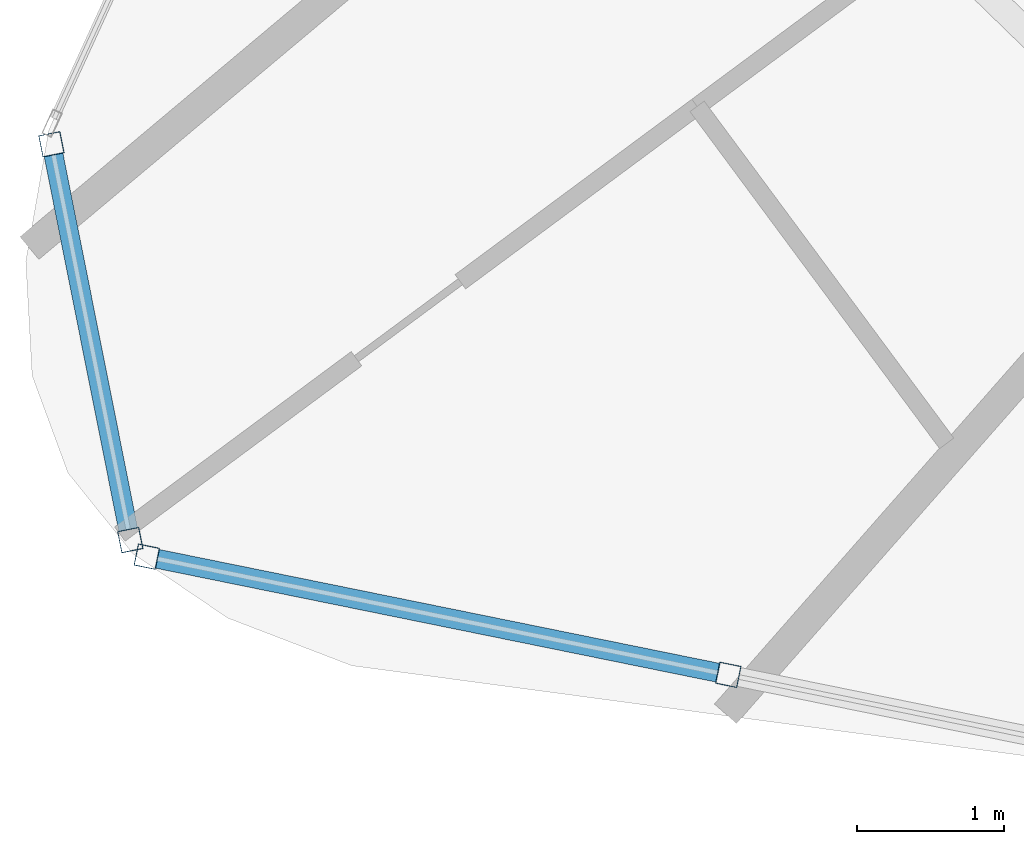
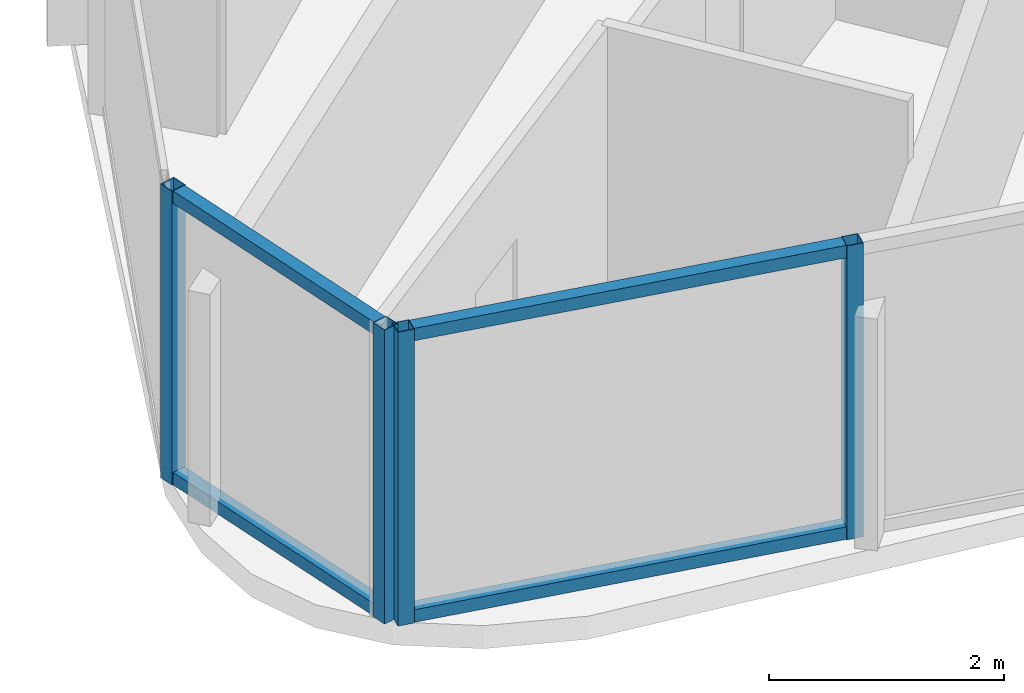
# One storey, part 2 of 38: 8 members, 2 elements without a shape of their own.
"""IFC4 building model written with IfcOpenShell, lengths in metres."""

from ifc_helpers import new_model, si_unit, direction, frame, origin, origin_2d, place, context, subcontext, project, spatial, hollow_rectangle, extrude, material, layer, layer_set, material_profile, profile_set, type_object, element, aggregate, save


model = new_model("IFC4")

# Units and contexts
model_context = context("Model", 3, precision=1e-05, world=origin(), true_north=direction((0.0, 1.0)))
body_context = subcontext(model_context, "Body", "Model", "MODEL_VIEW")
ifc_project = project(units=[si_unit("LENGTHUNIT", "METRE"), si_unit("AREAUNIT", "SQUARE_METRE"), si_unit("VOLUMEUNIT", "CUBIC_METRE"), si_unit("PLANEANGLEUNIT", "RADIAN"), si_unit("MASSUNIT", "GRAM", prefix="KILO")], contexts=[model_context])

# Site, building, storey
site_placement = place(None, origin())
site = spatial("IfcSite", under=ifc_project, at=site_placement, CompositionType="ELEMENT")
building_placement = place(site_placement, origin())
building = spatial("IfcBuilding", under=site, at=building_placement, Name="Orvanel Arch Residences", CompositionType="ELEMENT")
storey_placement = place(building_placement, frame((0.0, 0.0, 50.0)))
storey = spatial("IfcBuildingStorey", under=building, at=storey_placement, Name="L13", CompositionType="ELEMENT", Elevation=50.0)

# Curtain wall, members
ifc_material = material(Name="Bronze-anodised aluminium AA6063-T6", Category="aluminium")
ifc_layer = layer(ifc_material, 0.18994140625)
ifc_layer_set = layer_set([ifc_layer], Name="Bronze-anodised aluminium AA6063-T6")
curtain_wall_type = type_object("IfcCurtainWallType", Name="CW5-CRN-SYS", PredefinedType="NOTDEFINED", material=ifc_layer_set)
curtain_wall_1_placement = place(storey_placement, origin())
curtain_wall_1 = element("IfcCurtainWall", 1, at=curtain_wall_1_placement, inside=storey, type_object=curtain_wall_type, Name="L13 CW5-CRN-SYS Unitised Curtain Wall", PredefinedType="NOTDEFINED")
ifc_material_profile_1 = material_profile(ifc_material, hollow_rectangle(XDim=0.14990234375, YDim=0.14990234375, WallThickness=0.0048828125, at=origin_2d()), Name="ALU150x150x5")
ifc_profile_set_1 = profile_set([ifc_material_profile_1], Name="Bronze-anodised aluminium AA6063-T6")
member_type_1 = type_object("IfcMemberType", Name="MUL-150x150", PredefinedType="MULLION", material=ifc_profile_set_1)
member_1_placement = place(storey_placement, frame((4.51171875, 7.1923828125, 0.0), z_axis=(0.0, 0.0, 1.0), x_axis=(0.980713266811, 0.195452010225, 0.0)))
member_1 = element("IfcMember", 2, at=member_1_placement, type_object=member_type_1, Name="CW-S5 mullion 1", PredefinedType="MULLION", context=body_context, shape_type="SweptSolid", body=[
    extrude(hollow_rectangle(XDim=0.14990234375, YDim=0.14990234375, WallThickness=0.0048828125, at=origin_2d()), origin(), (0.0, 0.0, 1.0), 3.06005859375),
])
member_2_placement = place(storey_placement, frame((5.04833984375, 4.49951171875, 0.0), z_axis=(0.0, 0.0, 1.0), x_axis=(0.980713266811, 0.195452010225, 0.0)))
member_2 = element("IfcMember", 3, at=member_2_placement, type_object=member_type_1, Name="CW-S5 mullion 2", PredefinedType="MULLION", context=body_context, shape_type="SweptSolid", body=[
    extrude(hollow_rectangle(XDim=0.14990234375, YDim=0.14990234375, WallThickness=0.0048828125, at=origin_2d()), origin(), (0.0, 0.0, 1.0), 3.06005859375),
])

curtain_wall_2_placement = place(storey_placement, origin())
curtain_wall_2 = element("IfcCurtainWall", 4, at=curtain_wall_2_placement, inside=storey, type_object=curtain_wall_type, Name="L13 CW5-CRN-SYS Unitised Curtain Wall", PredefinedType="NOTDEFINED")
member_3_placement = place(storey_placement, frame((5.160400390625, 4.386962890625, 0.0), z_axis=(0.0, 0.0, 1.0), x_axis=(0.199178527808, 0.979963220769, 0.0)))
member_3 = element("IfcMember", 5, at=member_3_placement, type_object=member_type_1, Name="CW-S5 mullion 1", PredefinedType="MULLION", context=body_context, shape_type="SweptSolid", body=[
    extrude(hollow_rectangle(XDim=0.14990234375, YDim=0.14990234375, WallThickness=0.0048828125, at=origin_2d()), origin(), (0.0, 0.0, 1.0), 3.06005859375),
])
member_4_placement = place(storey_placement, frame((9.116455078125, 3.5830078125, 0.0), z_axis=(0.0, 0.0, 1.0), x_axis=(0.199178527808, 0.979963220769, 0.0)))
member_4 = element("IfcMember", 6, at=member_4_placement, type_object=member_type_1, Name="CW-S5 mullion 2", PredefinedType="MULLION", context=body_context, shape_type="SweptSolid", body=[
    extrude(hollow_rectangle(XDim=0.14990234375, YDim=0.14990234375, WallThickness=0.0048828125, at=origin_2d()), origin(), (0.0, 0.0, 1.0), 3.06005859375),
])

# Member
ifc_material_profile_2 = material_profile(ifc_material, hollow_rectangle(XDim=0.1298828125, YDim=0.1298828125, WallThickness=0.00439453125, at=origin_2d()), Name="ALU130x130x4.5")
ifc_profile_set_2 = profile_set([ifc_material_profile_2], Name="Bronze-anodised aluminium AA6063-T6")
member_type_2 = type_object("IfcMemberType", Name="TRN-130x130", PredefinedType="USERDEFINED", material=ifc_profile_set_2)
member_5_placement = place(storey_placement, frame((4.5263671875, 7.118896484375, 0.06494140625), z_axis=(0.195428823394, -0.980717887563, 0.0), x_axis=(0.980717887563, 0.195428823394, 0.0)))
member_5 = element("IfcMember", 7, at=member_5_placement, type_object=member_type_2, Name="CW-S5 transom 1.1", ObjectType="TRANSOM", PredefinedType="USERDEFINED", context=body_context, shape_type="SweptSolid", body=[
    extrude(hollow_rectangle(XDim=0.1298828125, YDim=0.1298828125, WallThickness=0.00439453125, at=origin_2d()), origin(), (0.0, 0.0, 1.0), 2.595947265625),
])

member_6_placement = place(storey_placement, frame((4.5263671875, 7.118896484375, 2.9951171875), z_axis=(0.195428823394, -0.980717887563, 0.0), x_axis=(0.980717887563, 0.195428823394, 0.0)))
member_6 = element("IfcMember", 8, at=member_6_placement, type_object=member_type_2, Name="CW-S5 transom 1.2", ObjectType="TRANSOM", PredefinedType="USERDEFINED", context=body_context, shape_type="SweptSolid", body=[
    extrude(hollow_rectangle(XDim=0.1298828125, YDim=0.1298828125, WallThickness=0.00439453125, at=origin_2d()), origin(), (0.0, 0.0, 1.0), 2.595947265625),
])

aggregate(curtain_wall_1, [member_1, member_2, member_5, member_6])

member_7_placement = place(storey_placement, frame((5.23388671875, 4.3720703125, 0.06494140625), z_axis=(0.979964722217, -0.199171140504, 0.0), x_axis=(0.199171140504, 0.979964722217, 0.0)))
member_7 = element("IfcMember", 9, at=member_7_placement, type_object=member_type_2, Name="CW-S5 transom 1.1", ObjectType="TRANSOM", PredefinedType="USERDEFINED", context=body_context, shape_type="SweptSolid", body=[
    extrude(hollow_rectangle(XDim=0.1298828125, YDim=0.1298828125, WallThickness=0.00439453125, at=origin_2d()), origin(), (0.0, 0.0, 1.0), 3.886962890625),
])

member_8_placement = place(storey_placement, frame((5.23388671875, 4.3720703125, 2.9951171875), z_axis=(0.979964722217, -0.199171140504, 0.0), x_axis=(0.199171140504, 0.979964722217, 0.0)))
member_8 = element("IfcMember", 10, at=member_8_placement, type_object=member_type_2, Name="CW-S5 transom 1.2", ObjectType="TRANSOM", PredefinedType="USERDEFINED", context=body_context, shape_type="SweptSolid", body=[
    extrude(hollow_rectangle(XDim=0.1298828125, YDim=0.1298828125, WallThickness=0.00439453125, at=origin_2d()), origin(), (0.0, 0.0, 1.0), 3.886962890625),
])

aggregate(curtain_wall_2, [member_3, member_4, member_7, member_8])

save(model, "model.ifc")
